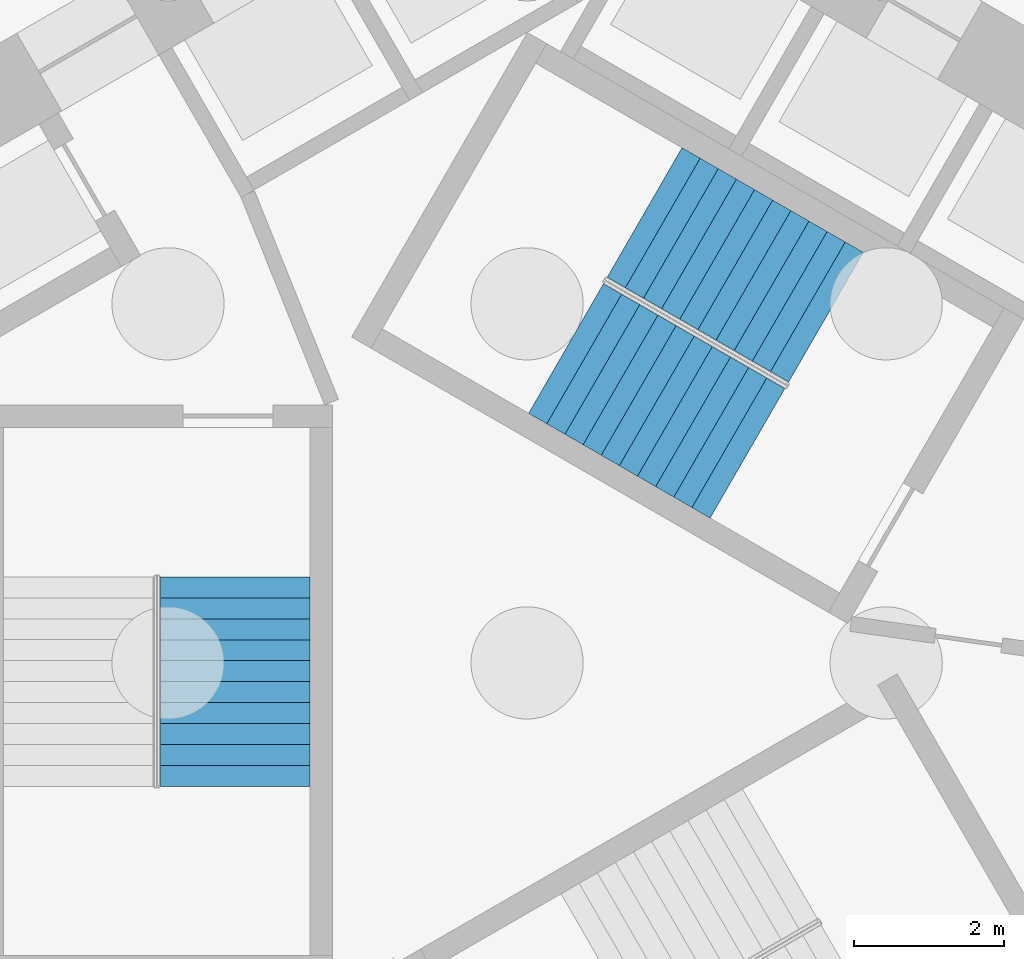
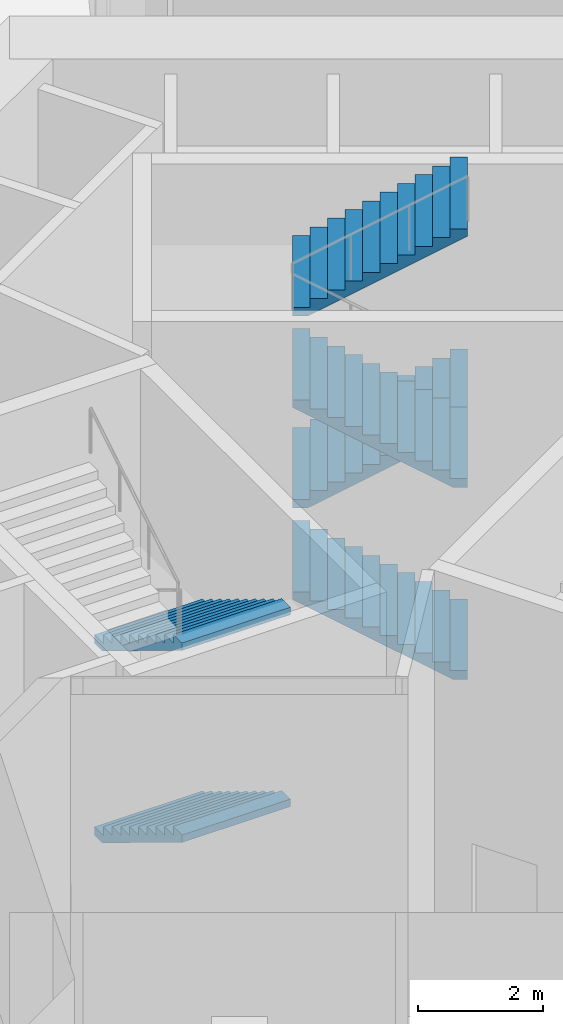
# One storey, part 13 of 16: 6 stair flights, 2 elements without a shape of their own.
"""IFC4 building model written with IfcOpenShell, lengths in metres."""

from ifc_helpers import new_model, si_unit, direction, frame, origin, place, context, subcontext, project, spatial, triangles, source, transform, mapped, material, type_object, element, aggregate, save


model = new_model("IFC4")

# Units and contexts
model_context = context("Model", 3, precision=1e-05, world=origin(), true_north=direction((0.0, 1.0)))
body_context = subcontext(model_context, "Body", "Model", "MODEL_VIEW")
ifc_project = project(units=[si_unit("LENGTHUNIT", "METRE"), si_unit("AREAUNIT", "SQUARE_METRE"), si_unit("VOLUMEUNIT", "CUBIC_METRE"), si_unit("PLANEANGLEUNIT", "RADIAN"), si_unit("MASSUNIT", "GRAM", prefix="KILO")], contexts=[model_context])

# Site, building, storey
site_placement = place(None, origin())
site = spatial("IfcSite", under=ifc_project, at=site_placement, CompositionType="ELEMENT")
building_placement = place(site_placement, origin())
building = spatial("IfcBuilding", under=site, at=building_placement, Name="Vanh Sen Convention Tower", CompositionType="ELEMENT")
storey_placement = place(building_placement, origin())
storey = spatial("IfcBuildingStorey", under=building, at=storey_placement, Name="L00", CompositionType="ELEMENT", Elevation=0.0)

# Stair, stair flights
ifc_material_1 = material(Name="Concrete C50/60", Category="concrete")
stair_type_1 = type_object("IfcStairType", Name="Exit stair ST1 44 risers at 170.5", PredefinedType="HALF_TURN_STAIR", material=ifc_material_1)
stair_1_placement = place(storey_placement, origin())
stair_1 = element("IfcStair", 1, at=stair_1_placement, inside=storey, type_object=stair_type_1, Name="Exit stair ST1 L00", PredefinedType="HALF_TURN_STAIR")
ifc_material_2 = material(Name="Concrete C40/50", Category="concrete")
stair_flight_type = type_object("IfcStairFlightType", Name="Stair flight 2000", PredefinedType="STRAIGHT", material=ifc_material_2)
shared_shape = source(origin(), body_context, "Body", "Tessellation", [
    triangles([(0.240478515625, 1.0, 0.0), (0.0, 1.0, 0.0), (0.0, 1.0, 0.17041015625), (0.280029296875, 1.0, 0.17041015625), (0.280029296875, 1.0, 0.3408203125), (0.56005859375, 1.0, 0.3408203125), (0.56005859375, 1.0, 0.511474609375), (0.840087890625, 1.0, 0.511474609375), (0.840087890625, 1.0, 0.681884765625), (1.1201171875, 1.0, 0.681884765625), (1.1201171875, 1.0, 0.852294921875), (1.39990234375, 1.0, 0.852294921875), (1.39990234375, 1.0, 1.022705078125), (1.679931640625, 1.0, 1.022705078125), (1.679931640625, 1.0, 1.193115234375), (1.9599609375, 1.0, 1.193115234375), (1.9599609375, 1.0, 1.363525390625), (2.239990234375, 1.0, 1.363525390625), (2.239990234375, 1.0, 1.5341796875), (2.52001953125, 1.0, 1.5341796875), (2.52001953125, 1.0, 1.70458984375), (2.800048828125, 1.0, 1.70458984375), (2.800048828125, 1.0, 1.55810546875), (0.240478515625, -1.0, 0.0), (0.0, -1.0, 0.0), (0.0, -1.0, 0.17041015625), (0.280029296875, -1.0, 0.17041015625), (0.280029296875, -1.0, 0.3408203125), (0.56005859375, -1.0, 0.3408203125), (0.56005859375, -1.0, 0.511474609375), (0.840087890625, -1.0, 0.511474609375), (0.840087890625, -1.0, 0.681884765625), (1.1201171875, -1.0, 0.681884765625), (1.1201171875, -1.0, 0.852294921875), (1.39990234375, -1.0, 0.852294921875), (1.39990234375, -1.0, 1.022705078125), (1.679931640625, -1.0, 1.022705078125), (1.679931640625, -1.0, 1.193115234375), (1.9599609375, -1.0, 1.193115234375), (1.9599609375, -1.0, 1.363525390625), (2.239990234375, -1.0, 1.363525390625), (2.239990234375, -1.0, 1.5341796875), (2.52001953125, -1.0, 1.5341796875), (2.52001953125, -1.0, 1.70458984375), (2.800048828125, -1.0, 1.70458984375), (2.800048828125, -1.0, 1.55810546875), (0.0, 0.0400390625, 0.0), (0.0, 0.0390625, 0.0), (0.0, 0.0380859375, 0.0), (0.0, 0.037109375, 0.0), (0.0, 0.035888671875, 0.0), (0.0, 0.034912109375, 0.0), (0.0, 0.033935546875, 0.0), (0.0, 0.032958984375, 0.0), (0.0, 0.031982421875, 0.0), (0.0, 0.031005859375, 0.0), (0.0, 0.030029296875, 0.0), (0.0, 0.029052734375, 0.0), (0.0, 0.028076171875, 0.0), (0.0, 0.027099609375, 0.0), (0.0, 0.02587890625, 0.0), (0.0, 0.02490234375, 0.0), (0.0, 0.02392578125, 0.0), (0.0, 0.02294921875, 0.0), (0.0, 0.02197265625, 0.0), (0.0, 0.02099609375, 0.0), (0.0, 0.02001953125, 0.0), (0.0, 0.01904296875, 0.0), (0.0, 0.01806640625, 0.0), (0.0, 0.01708984375, 0.0), (0.0, 0.01611328125, 0.0), (0.0, 0.014892578125, 0.0), (0.0, 0.013916015625, 0.0), (0.0, 0.012939453125, 0.0), (0.0, 0.011962890625, 0.0), (0.0, 0.010986328125, 0.0), (0.0, 0.010009765625, 0.0), (0.0, 0.009033203125, 0.0), (0.0, 0.008056640625, 0.0), (0.0, 0.007080078125, 0.0), (0.0, 0.006103515625, 0.0), (0.0, 0.0048828125, 0.0), (0.0, 0.00390625, 0.0), (0.0, 0.0029296875, 0.0), (0.0, 0.001953125, 0.0), (0.0, 0.0009765625, 0.0), (0.0, 0.0, 0.0), (0.0, -0.0009765625, 0.0), (0.0, -0.001953125, 0.0), (0.0, -0.0029296875, 0.0), (0.0, -0.00390625, 0.0), (0.0, -0.0048828125, 0.0), (0.0, -0.006103515625, 0.0), (0.0, -0.007080078125, 0.0), (0.0, -0.008056640625, 0.0), (0.0, -0.009033203125, 0.0), (0.0, -0.010009765625, 0.0), (0.0, -0.010986328125, 0.0), (0.0, -0.011962890625, 0.0), (0.0, -0.012939453125, 0.0), (0.0, -0.013916015625, 0.0), (0.0, -0.014892578125, 0.0), (0.0, -0.01611328125, 0.0), (0.0, -0.01708984375, 0.0), (0.0, -0.01806640625, 0.0), (0.0, -0.01904296875, 0.0), (0.0, -0.02001953125, 0.0), (0.0, -0.02099609375, 0.0), (0.0, -0.02197265625, 0.0), (0.0, -0.02294921875, 0.0), (0.0, -0.02392578125, 0.0), (0.0, -0.02490234375, 0.0), (0.0, -0.02587890625, 0.0), (0.0, -0.027099609375, 0.0), (0.0, -0.028076171875, 0.0), (0.0, -0.029052734375, 0.0), (0.0, -0.030029296875, 0.0), (0.0, -0.031005859375, 0.0), (0.0, -0.031982421875, 0.0), (0.0, -0.032958984375, 0.0), (0.0, -0.033935546875, 0.0), (0.0, -0.034912109375, 0.0), (0.0, -0.035888671875, 0.0), (0.0, -0.037109375, 0.0), (0.0, -0.0380859375, 0.0), (0.0, -0.0390625, 0.0), (0.0, -0.0400390625, 0.0), (0.0, 0.0400390625, 0.17041015625), (0.0, 0.0390625, 0.17041015625), (0.0, 0.0380859375, 0.17041015625), (0.0, 0.037109375, 0.17041015625), (0.0, 0.035888671875, 0.17041015625), (0.0, 0.034912109375, 0.17041015625), (0.0, 0.033935546875, 0.17041015625), (0.0, 0.032958984375, 0.17041015625), (0.0, 0.031982421875, 0.17041015625), (0.0, 0.031005859375, 0.17041015625), (0.0, 0.030029296875, 0.17041015625), (0.0, 0.029052734375, 0.17041015625), (0.0, 0.028076171875, 0.17041015625), (0.0, 0.027099609375, 0.17041015625), (0.0, 0.02587890625, 0.17041015625), (0.0, 0.02490234375, 0.17041015625), (0.0, 0.02392578125, 0.17041015625), (0.0, 0.02294921875, 0.17041015625), (0.0, 0.02197265625, 0.17041015625), (0.0, 0.02099609375, 0.17041015625), (0.0, 0.02001953125, 0.17041015625), (0.0, 0.01904296875, 0.17041015625), (0.0, 0.01806640625, 0.17041015625), (0.0, 0.01708984375, 0.17041015625), (0.0, 0.01611328125, 0.17041015625), (0.0, 0.014892578125, 0.17041015625), (0.0, 0.013916015625, 0.17041015625), (0.0, 0.012939453125, 0.17041015625), (0.0, 0.011962890625, 0.17041015625), (0.0, 0.010986328125, 0.17041015625), (0.0, 0.010009765625, 0.17041015625), (0.0, 0.009033203125, 0.17041015625), (0.0, 0.008056640625, 0.17041015625), (0.0, 0.007080078125, 0.17041015625), (0.0, 0.006103515625, 0.17041015625), (0.0, 0.0048828125, 0.17041015625), (0.0, 0.00390625, 0.17041015625), (0.0, 0.0029296875, 0.17041015625), (0.0, 0.001953125, 0.17041015625), (0.0, 0.0009765625, 0.17041015625), (0.0, 0.0, 0.17041015625), (0.0, -0.0009765625, 0.17041015625), (0.0, -0.001953125, 0.17041015625), (0.0, -0.0029296875, 0.17041015625), (0.0, -0.00390625, 0.17041015625), (0.0, -0.0048828125, 0.17041015625), (0.0, -0.006103515625, 0.17041015625), (0.0, -0.007080078125, 0.17041015625), (0.0, -0.008056640625, 0.17041015625), (0.0, -0.009033203125, 0.17041015625), (0.0, -0.010009765625, 0.17041015625), (0.0, -0.010986328125, 0.17041015625), (0.0, -0.011962890625, 0.17041015625), (0.0, -0.012939453125, 0.17041015625), (0.0, -0.013916015625, 0.17041015625), (0.0, -0.014892578125, 0.17041015625), (0.0, -0.01611328125, 0.17041015625), (0.0, -0.01708984375, 0.17041015625), (0.0, -0.01806640625, 0.17041015625), (0.0, -0.01904296875, 0.17041015625), (0.0, -0.02001953125, 0.17041015625), (0.0, -0.02099609375, 0.17041015625), (0.0, -0.02197265625, 0.17041015625), (0.0, -0.02294921875, 0.17041015625), (0.0, -0.02392578125, 0.17041015625), (0.0, -0.02490234375, 0.17041015625), (0.0, -0.02587890625, 0.17041015625), (0.0, -0.027099609375, 0.17041015625), (0.0, -0.028076171875, 0.17041015625), (0.0, -0.029052734375, 0.17041015625), (0.0, -0.030029296875, 0.17041015625), (0.0, -0.031005859375, 0.17041015625), (0.0, -0.031982421875, 0.17041015625), (0.0, -0.032958984375, 0.17041015625), (0.0, -0.033935546875, 0.17041015625), (0.0, -0.034912109375, 0.17041015625), (0.0, -0.035888671875, 0.17041015625), (0.0, -0.037109375, 0.17041015625), (0.0, -0.0380859375, 0.17041015625), (0.0, -0.0390625, 0.17041015625), (0.0, -0.0400390625, 0.17041015625), (0.280029296875, 0.0, 0.17041015625), (0.280029296875, 0.0, 0.3408203125), (0.56005859375, 0.0, 0.3408203125), (0.56005859375, 0.0, 0.511474609375), (0.840087890625, 0.0, 0.511474609375), (0.840087890625, 0.0, 0.681884765625), (1.1201171875, 0.0, 0.681884765625), (1.1201171875, 0.0, 0.852294921875), (1.39990234375, 0.0, 0.852294921875), (1.39990234375, 0.0, 1.022705078125), (1.679931640625, 0.0, 1.022705078125), (1.679931640625, 0.0, 1.193115234375), (1.9599609375, 0.0, 1.193115234375), (1.9599609375, 0.0, 1.363525390625), (2.239990234375, 0.0, 1.363525390625), (2.239990234375, 0.0, 1.5341796875), (2.52001953125, 0.0, 1.5341796875), (2.52001953125, 0.0, 1.70458984375), (2.800048828125, 0.0400390625, 1.70458984375), (2.800048828125, 0.0390625, 1.70458984375), (2.800048828125, 0.0380859375, 1.70458984375), (2.800048828125, 0.037109375, 1.70458984375), (2.800048828125, 0.035888671875, 1.70458984375), (2.800048828125, 0.034912109375, 1.70458984375), (2.800048828125, 0.033935546875, 1.70458984375), (2.800048828125, 0.032958984375, 1.70458984375), (2.800048828125, 0.031982421875, 1.70458984375), (2.800048828125, 0.031005859375, 1.70458984375), (2.800048828125, 0.030029296875, 1.70458984375), (2.800048828125, 0.029052734375, 1.70458984375), (2.800048828125, 0.028076171875, 1.70458984375), (2.800048828125, 0.027099609375, 1.70458984375), (2.800048828125, 0.02587890625, 1.70458984375), (2.800048828125, 0.02490234375, 1.70458984375), (2.800048828125, 0.02392578125, 1.70458984375), (2.800048828125, 0.02294921875, 1.70458984375), (2.800048828125, 0.02197265625, 1.70458984375), (2.800048828125, 0.02099609375, 1.70458984375), (2.800048828125, 0.02001953125, 1.70458984375), (2.800048828125, 0.01904296875, 1.70458984375), (2.800048828125, 0.01806640625, 1.70458984375), (2.800048828125, 0.01708984375, 1.70458984375), (2.800048828125, 0.01611328125, 1.70458984375), (2.800048828125, 0.014892578125, 1.70458984375), (2.800048828125, 0.013916015625, 1.70458984375), (2.800048828125, 0.012939453125, 1.70458984375), (2.800048828125, 0.011962890625, 1.70458984375), (2.800048828125, 0.010986328125, 1.70458984375), (2.800048828125, 0.010009765625, 1.70458984375), (2.800048828125, 0.009033203125, 1.70458984375), (2.800048828125, 0.008056640625, 1.70458984375), (2.800048828125, 0.007080078125, 1.70458984375), (2.800048828125, 0.006103515625, 1.70458984375), (2.800048828125, 0.0048828125, 1.70458984375), (2.800048828125, 0.00390625, 1.70458984375), (2.800048828125, 0.0029296875, 1.70458984375), (2.800048828125, 0.001953125, 1.70458984375), (2.800048828125, 0.0009765625, 1.70458984375), (2.800048828125, 0.0, 1.70458984375), (2.800048828125, -0.0009765625, 1.70458984375), (2.800048828125, -0.001953125, 1.70458984375), (2.800048828125, -0.0029296875, 1.70458984375), (2.800048828125, -0.00390625, 1.70458984375), (2.800048828125, -0.0048828125, 1.70458984375), (2.800048828125, -0.006103515625, 1.70458984375), (2.800048828125, -0.007080078125, 1.70458984375), (2.800048828125, -0.008056640625, 1.70458984375), (2.800048828125, -0.009033203125, 1.70458984375), (2.800048828125, -0.010009765625, 1.70458984375), (2.800048828125, -0.010986328125, 1.70458984375), (2.800048828125, -0.011962890625, 1.70458984375), (2.800048828125, -0.012939453125, 1.70458984375), (2.800048828125, -0.013916015625, 1.70458984375), (2.800048828125, -0.014892578125, 1.70458984375), (2.800048828125, -0.01611328125, 1.70458984375), (2.800048828125, -0.01708984375, 1.70458984375), (2.800048828125, -0.01806640625, 1.70458984375), (2.800048828125, -0.01904296875, 1.70458984375), (2.800048828125, -0.02001953125, 1.70458984375), (2.800048828125, -0.02099609375, 1.70458984375), (2.800048828125, -0.02197265625, 1.70458984375), (2.800048828125, -0.02294921875, 1.70458984375), (2.800048828125, -0.02392578125, 1.70458984375), (2.800048828125, -0.02490234375, 1.70458984375), (2.800048828125, -0.02587890625, 1.70458984375), (2.800048828125, -0.027099609375, 1.70458984375), (2.800048828125, -0.028076171875, 1.70458984375), (2.800048828125, -0.029052734375, 1.70458984375), (2.800048828125, -0.030029296875, 1.70458984375), (2.800048828125, -0.031005859375, 1.70458984375), (2.800048828125, -0.031982421875, 1.70458984375), (2.800048828125, -0.032958984375, 1.70458984375), (2.800048828125, -0.033935546875, 1.70458984375), (2.800048828125, -0.034912109375, 1.70458984375), (2.800048828125, -0.035888671875, 1.70458984375), (2.800048828125, -0.037109375, 1.70458984375), (2.800048828125, -0.0380859375, 1.70458984375), (2.800048828125, -0.0390625, 1.70458984375), (2.800048828125, -0.0400390625, 1.70458984375), (2.800048828125, 0.0400390625, 1.55810546875), (2.800048828125, 0.0390625, 1.55810546875), (2.800048828125, 0.0380859375, 1.55810546875), (2.800048828125, 0.037109375, 1.55810546875), (2.800048828125, 0.035888671875, 1.55810546875), (2.800048828125, 0.034912109375, 1.55810546875), (2.800048828125, 0.033935546875, 1.55810546875), (2.800048828125, 0.032958984375, 1.55810546875), (2.800048828125, 0.031982421875, 1.55810546875), (2.800048828125, 0.031005859375, 1.55810546875), (2.800048828125, 0.030029296875, 1.55810546875), (2.800048828125, 0.029052734375, 1.55810546875), (2.800048828125, 0.028076171875, 1.55810546875), (2.800048828125, 0.027099609375, 1.55810546875), (2.800048828125, 0.02587890625, 1.55810546875), (2.800048828125, 0.02490234375, 1.55810546875), (2.800048828125, 0.02392578125, 1.55810546875), (2.800048828125, 0.02294921875, 1.55810546875), (2.800048828125, 0.02197265625, 1.55810546875), (2.800048828125, 0.02099609375, 1.55810546875), (2.800048828125, 0.02001953125, 1.55810546875), (2.800048828125, 0.01904296875, 1.55810546875), (2.800048828125, 0.01806640625, 1.55810546875), (2.800048828125, 0.01708984375, 1.55810546875), (2.800048828125, 0.01611328125, 1.55810546875), (2.800048828125, 0.014892578125, 1.55810546875), (2.800048828125, 0.013916015625, 1.55810546875), (2.800048828125, 0.012939453125, 1.55810546875), (2.800048828125, 0.011962890625, 1.55810546875), (2.800048828125, 0.010986328125, 1.55810546875), (2.800048828125, 0.010009765625, 1.55810546875), (2.800048828125, 0.009033203125, 1.55810546875), (2.800048828125, 0.008056640625, 1.55810546875), (2.800048828125, 0.007080078125, 1.55810546875), (2.800048828125, 0.006103515625, 1.55810546875), (2.800048828125, 0.0048828125, 1.55810546875), (2.800048828125, 0.00390625, 1.55810546875), (2.800048828125, 0.0029296875, 1.55810546875), (2.800048828125, 0.001953125, 1.55810546875), (2.800048828125, 0.0009765625, 1.55810546875), (2.800048828125, 0.0, 1.55810546875), (2.800048828125, -0.0009765625, 1.55810546875), (2.800048828125, -0.001953125, 1.55810546875), (2.800048828125, -0.0029296875, 1.55810546875), (2.800048828125, -0.00390625, 1.55810546875), (2.800048828125, -0.0048828125, 1.55810546875), (2.800048828125, -0.006103515625, 1.55810546875), (2.800048828125, -0.007080078125, 1.55810546875), (2.800048828125, -0.008056640625, 1.55810546875), (2.800048828125, -0.009033203125, 1.55810546875), (2.800048828125, -0.010009765625, 1.55810546875), (2.800048828125, -0.010986328125, 1.55810546875), (2.800048828125, -0.011962890625, 1.55810546875), (2.800048828125, -0.012939453125, 1.55810546875), (2.800048828125, -0.013916015625, 1.55810546875), (2.800048828125, -0.014892578125, 1.55810546875), (2.800048828125, -0.01611328125, 1.55810546875), (2.800048828125, -0.01708984375, 1.55810546875), (2.800048828125, -0.01806640625, 1.55810546875), (2.800048828125, -0.01904296875, 1.55810546875), (2.800048828125, -0.02001953125, 1.55810546875), (2.800048828125, -0.02099609375, 1.55810546875), (2.800048828125, -0.02197265625, 1.55810546875), (2.800048828125, -0.02294921875, 1.55810546875), (2.800048828125, -0.02392578125, 1.55810546875), (2.800048828125, -0.02490234375, 1.55810546875), (2.800048828125, -0.02587890625, 1.55810546875), (2.800048828125, -0.027099609375, 1.55810546875), (2.800048828125, -0.028076171875, 1.55810546875), (2.800048828125, -0.029052734375, 1.55810546875), (2.800048828125, -0.030029296875, 1.55810546875), (2.800048828125, -0.031005859375, 1.55810546875), (2.800048828125, -0.031982421875, 1.55810546875), (2.800048828125, -0.032958984375, 1.55810546875), (2.800048828125, -0.033935546875, 1.55810546875), (2.800048828125, -0.034912109375, 1.55810546875), (2.800048828125, -0.035888671875, 1.55810546875), (2.800048828125, -0.037109375, 1.55810546875), (2.800048828125, -0.0380859375, 1.55810546875), (2.800048828125, -0.0390625, 1.55810546875), (2.800048828125, -0.0400390625, 1.55810546875), (0.240478515625, 0.0, 0.0)], [[1, 2, 3], [1, 3, 4], [4, 5, 6], [1, 4, 6], [6, 7, 8], [1, 6, 8], [8, 9, 10], [1, 8, 10], [10, 11, 12], [1, 10, 12], [12, 13, 14], [1, 12, 14], [14, 15, 16], [1, 14, 16], [16, 17, 18], [1, 16, 18], [18, 19, 20], [1, 18, 20], [20, 21, 22], [1, 20, 22], [22, 23, 1], [24, 26, 25], [24, 27, 26], [27, 29, 28], [24, 29, 27], [29, 31, 30], [24, 31, 29], [31, 33, 32], [24, 33, 31], [33, 35, 34], [24, 35, 33], [35, 37, 36], [24, 37, 35], [37, 39, 38], [24, 39, 37], [39, 41, 40], [24, 41, 39], [41, 43, 42], [24, 43, 41], [43, 45, 44], [24, 45, 43], [45, 24, 46], [2, 128, 3], [2, 47, 128], [47, 129, 128], [47, 48, 129], [48, 130, 129], [48, 49, 130], [49, 131, 130], [49, 50, 131], [50, 132, 131], [50, 51, 132], [51, 133, 132], [51, 52, 133], [52, 134, 133], [52, 53, 134], [53, 135, 134], [53, 54, 135], [54, 136, 135], [54, 55, 136], [55, 137, 136], [55, 56, 137], [56, 138, 137], [56, 57, 138], [57, 139, 138], [57, 58, 139], [58, 140, 139], [58, 59, 140], [59, 141, 140], [59, 60, 141], [60, 142, 141], [60, 61, 142], [61, 143, 142], [61, 62, 143], [62, 144, 143], [62, 63, 144], [63, 145, 144], [63, 64, 145], [64, 146, 145], [64, 65, 146], [65, 147, 146], [65, 66, 147], [66, 148, 147], [66, 67, 148], [67, 149, 148], [67, 68, 149], [68, 150, 149], [68, 69, 150], [69, 151, 150], [69, 70, 151], [70, 152, 151], [70, 71, 152], [71, 153, 152], [71, 72, 153], [72, 154, 153], [72, 73, 154], [73, 155, 154], [73, 74, 155], [74, 156, 155], [74, 75, 156], [75, 157, 156], [75, 76, 157], [76, 158, 157], [76, 77, 158], [77, 159, 158], [77, 78, 159], [78, 160, 159], [78, 79, 160], [79, 161, 160], [79, 80, 161], [80, 162, 161], [80, 81, 162], [81, 163, 162], [81, 82, 163], [82, 164, 163], [82, 83, 164], [83, 165, 164], [83, 84, 165], [84, 166, 165], [84, 85, 166], [85, 167, 166], [85, 86, 167], [86, 168, 167], [86, 87, 168], [87, 88, 168], [168, 88, 169], [88, 89, 169], [169, 89, 170], [89, 90, 170], [170, 90, 171], [90, 91, 171], [171, 91, 172], [91, 92, 172], [172, 92, 173], [92, 93, 173], [173, 93, 174], [93, 94, 174], [174, 94, 175], [94, 95, 175], [175, 95, 176], [95, 96, 176], [176, 96, 177], [96, 97, 177], [177, 97, 178], [97, 98, 178], [178, 98, 179], [98, 99, 179], [179, 99, 180], [99, 100, 180], [180, 100, 181], [100, 101, 181], [181, 101, 182], [101, 102, 182], [182, 102, 183], [102, 103, 183], [183, 103, 184], [103, 104, 184], [184, 104, 185], [104, 105, 185], [185, 105, 186], [105, 106, 186], [186, 106, 187], [106, 107, 187], [187, 107, 188], [107, 108, 188], [188, 108, 189], [108, 109, 189], [189, 109, 190], [109, 110, 190], [190, 110, 191], [110, 111, 191], [191, 111, 192], [111, 112, 192], [192, 112, 193], [112, 113, 193], [193, 113, 194], [113, 114, 194], [194, 114, 195], [114, 115, 195], [195, 115, 196], [115, 116, 196], [196, 116, 197], [116, 117, 197], [197, 117, 198], [117, 118, 198], [198, 118, 199], [118, 119, 199], [199, 119, 200], [119, 120, 200], [200, 120, 201], [120, 121, 201], [201, 121, 202], [121, 122, 202], [202, 122, 203], [122, 123, 203], [203, 123, 204], [123, 124, 204], [204, 124, 205], [124, 125, 205], [205, 125, 206], [125, 126, 206], [206, 126, 207], [126, 127, 207], [207, 127, 208], [127, 25, 208], [208, 25, 26], [4, 3, 128], [4, 128, 129], [4, 129, 130], [4, 130, 131], [4, 131, 132], [4, 132, 133], [4, 133, 134], [4, 134, 135], [4, 135, 136], [4, 136, 137], [4, 137, 138], [4, 138, 139], [4, 139, 140], [4, 140, 141], [4, 141, 142], [4, 142, 143], [4, 143, 144], [4, 144, 145], [4, 145, 146], [4, 146, 147], [4, 147, 148], [4, 148, 149], [4, 149, 150], [4, 150, 151], [4, 151, 152], [4, 152, 153], [4, 153, 154], [4, 154, 155], [4, 155, 156], [4, 156, 157], [4, 157, 158], [4, 158, 159], [4, 159, 160], [4, 160, 161], [4, 161, 162], [4, 162, 163], [4, 163, 164], [4, 164, 165], [4, 165, 166], [4, 166, 167], [4, 167, 168], [27, 168, 169], [27, 169, 170], [27, 170, 171], [27, 171, 172], [27, 172, 173], [27, 173, 174], [27, 174, 175], [27, 175, 176], [27, 176, 177], [27, 177, 178], [27, 178, 179], [27, 179, 180], [27, 180, 181], [27, 181, 182], [27, 182, 183], [27, 183, 184], [27, 184, 185], [27, 185, 186], [27, 186, 187], [27, 187, 188], [27, 188, 189], [27, 189, 190], [27, 190, 191], [27, 191, 192], [27, 192, 193], [27, 193, 194], [27, 194, 195], [27, 195, 196], [27, 196, 197], [27, 197, 198], [27, 198, 199], [27, 199, 200], [27, 200, 201], [27, 201, 202], [27, 202, 203], [27, 203, 204], [27, 204, 205], [27, 205, 206], [27, 206, 207], [27, 207, 208], [27, 208, 26], [4, 168, 209], [27, 209, 168], [4, 210, 5], [4, 209, 210], [209, 27, 210], [210, 27, 28], [5, 211, 6], [5, 210, 211], [210, 28, 211], [211, 28, 29], [6, 212, 7], [6, 211, 212], [211, 29, 212], [212, 29, 30], [7, 213, 8], [7, 212, 213], [212, 30, 213], [213, 30, 31], [8, 214, 9], [8, 213, 214], [213, 31, 214], [214, 31, 32], [9, 215, 10], [9, 214, 215], [214, 32, 215], [215, 32, 33], [10, 216, 11], [10, 215, 216], [215, 33, 216], [216, 33, 34], [11, 217, 12], [11, 216, 217], [216, 34, 217], [217, 34, 35], [12, 218, 13], [12, 217, 218], [217, 35, 218], [218, 35, 36], [13, 219, 14], [13, 218, 219], [218, 36, 219], [219, 36, 37], [14, 220, 15], [14, 219, 220], [219, 37, 220], [220, 37, 38], [15, 221, 16], [15, 220, 221], [220, 38, 221], [221, 38, 39], [16, 222, 17], [16, 221, 222], [221, 39, 222], [222, 39, 40], [17, 223, 18], [17, 222, 223], [222, 40, 223], [223, 40, 41], [18, 224, 19], [18, 223, 224], [223, 41, 224], [224, 41, 42], [19, 225, 20], [19, 224, 225], [224, 42, 225], [225, 42, 43], [20, 226, 21], [20, 225, 226], [225, 43, 226], [226, 43, 44], [21, 227, 22], [21, 228, 227], [21, 229, 228], [21, 230, 229], [21, 231, 230], [21, 232, 231], [21, 233, 232], [21, 234, 233], [21, 235, 234], [21, 236, 235], [21, 237, 236], [21, 238, 237], [21, 239, 238], [21, 240, 239], [21, 241, 240], [21, 242, 241], [21, 243, 242], [21, 244, 243], [21, 245, 244], [21, 246, 245], [21, 247, 246], [21, 248, 247], [21, 249, 248], [21, 250, 249], [21, 251, 250], [21, 252, 251], [21, 253, 252], [21, 254, 253], [21, 255, 254], [21, 256, 255], [21, 257, 256], [21, 258, 257], [21, 259, 258], [21, 260, 259], [21, 261, 260], [21, 262, 261], [21, 263, 262], [21, 264, 263], [21, 265, 264], [21, 266, 265], [21, 267, 266], [44, 268, 267], [44, 269, 268], [44, 270, 269], [44, 271, 270], [44, 272, 271], [44, 273, 272], [44, 274, 273], [44, 275, 274], [44, 276, 275], [44, 277, 276], [44, 278, 277], [44, 279, 278], [44, 280, 279], [44, 281, 280], [44, 282, 281], [44, 283, 282], [44, 284, 283], [44, 285, 284], [44, 286, 285], [44, 287, 286], [44, 288, 287], [44, 289, 288], [44, 290, 289], [44, 291, 290], [44, 292, 291], [44, 293, 292], [44, 294, 293], [44, 295, 294], [44, 296, 295], [44, 297, 296], [44, 298, 297], [44, 299, 298], [44, 300, 299], [44, 301, 300], [44, 302, 301], [44, 303, 302], [44, 304, 303], [44, 305, 304], [44, 306, 305], [44, 307, 306], [44, 45, 307], [21, 226, 267], [44, 267, 226], [22, 308, 23], [22, 227, 308], [227, 309, 308], [227, 228, 309], [228, 310, 309], [228, 229, 310], [229, 311, 310], [229, 230, 311], [230, 312, 311], [230, 231, 312], [231, 313, 312], [231, 232, 313], [232, 314, 313], [232, 233, 314], [233, 315, 314], [233, 234, 315], [234, 316, 315], [234, 235, 316], [235, 317, 316], [235, 236, 317], [236, 318, 317], [236, 237, 318], [237, 319, 318], [237, 238, 319], [238, 320, 319], [238, 239, 320], [239, 321, 320], [239, 240, 321], [240, 322, 321], [240, 241, 322], [241, 323, 322], [241, 242, 323], [242, 324, 323], [242, 243, 324], [243, 325, 324], [243, 244, 325], [244, 326, 325], [244, 245, 326], [245, 327, 326], [245, 246, 327], [246, 328, 327], [246, 247, 328], [247, 329, 328], [247, 248, 329], [248, 330, 329], [248, 249, 330], [249, 331, 330], [249, 250, 331], [250, 332, 331], [250, 251, 332], [251, 333, 332], [251, 252, 333], [252, 334, 333], [252, 253, 334], [253, 335, 334], [253, 254, 335], [254, 336, 335], [254, 255, 336], [255, 337, 336], [255, 256, 337], [256, 338, 337], [256, 257, 338], [257, 339, 338], [257, 258, 339], [258, 340, 339], [258, 259, 340], [259, 341, 340], [259, 260, 341], [260, 342, 341], [260, 261, 342], [261, 343, 342], [261, 262, 343], [262, 344, 343], [262, 263, 344], [263, 345, 344], [263, 264, 345], [264, 346, 345], [264, 265, 346], [265, 347, 346], [265, 266, 347], [266, 348, 347], [266, 267, 348], [267, 268, 348], [348, 268, 349], [268, 269, 349], [349, 269, 350], [269, 270, 350], [350, 270, 351], [270, 271, 351], [351, 271, 352], [271, 272, 352], [352, 272, 353], [272, 273, 353], [353, 273, 354], [273, 274, 354], [354, 274, 355], [274, 275, 355], [355, 275, 356], [275, 276, 356], [356, 276, 357], [276, 277, 357], [357, 277, 358], [277, 278, 358], [358, 278, 359], [278, 279, 359], [359, 279, 360], [279, 280, 360], [360, 280, 361], [280, 281, 361], [361, 281, 362], [281, 282, 362], [362, 282, 363], [282, 283, 363], [363, 283, 364], [283, 284, 364], [364, 284, 365], [284, 285, 365], [365, 285, 366], [285, 286, 366], [366, 286, 367], [286, 287, 367], [367, 287, 368], [287, 288, 368], [368, 288, 369], [288, 289, 369], [369, 289, 370], [289, 290, 370], [370, 290, 371], [290, 291, 371], [371, 291, 372], [291, 292, 372], [372, 292, 373], [292, 293, 373], [373, 293, 374], [293, 294, 374], [374, 294, 375], [294, 295, 375], [375, 295, 376], [295, 296, 376], [376, 296, 377], [296, 297, 377], [377, 297, 378], [297, 298, 378], [378, 298, 379], [298, 299, 379], [379, 299, 380], [299, 300, 380], [380, 300, 381], [300, 301, 381], [381, 301, 382], [301, 302, 382], [382, 302, 383], [302, 303, 383], [383, 303, 384], [303, 304, 384], [384, 304, 385], [304, 305, 385], [385, 305, 386], [305, 306, 386], [386, 306, 387], [306, 307, 387], [387, 307, 388], [307, 45, 388], [388, 45, 46], [1, 23, 308], [1, 308, 309], [1, 309, 310], [1, 310, 311], [1, 311, 312], [1, 312, 313], [1, 313, 314], [1, 314, 315], [1, 315, 316], [1, 316, 317], [1, 317, 318], [1, 318, 319], [1, 319, 320], [1, 320, 321], [1, 321, 322], [1, 322, 323], [1, 323, 324], [1, 324, 325], [1, 325, 326], [1, 326, 327], [1, 327, 328], [1, 328, 329], [1, 329, 330], [1, 330, 331], [1, 331, 332], [1, 332, 333], [1, 333, 334], [1, 334, 335], [1, 335, 336], [1, 336, 337], [1, 337, 338], [1, 338, 339], [1, 339, 340], [1, 340, 341], [1, 341, 342], [1, 342, 343], [1, 343, 344], [1, 344, 345], [1, 345, 346], [1, 346, 347], [1, 347, 348], [24, 348, 349], [24, 349, 350], [24, 350, 351], [24, 351, 352], [24, 352, 353], [24, 353, 354], [24, 354, 355], [24, 355, 356], [24, 356, 357], [24, 357, 358], [24, 358, 359], [24, 359, 360], [24, 360, 361], [24, 361, 362], [24, 362, 363], [24, 363, 364], [24, 364, 365], [24, 365, 366], [24, 366, 367], [24, 367, 368], [24, 368, 369], [24, 369, 370], [24, 370, 371], [24, 371, 372], [24, 372, 373], [24, 373, 374], [24, 374, 375], [24, 375, 376], [24, 376, 377], [24, 377, 378], [24, 378, 379], [24, 379, 380], [24, 380, 381], [24, 381, 382], [24, 382, 383], [24, 383, 384], [24, 384, 385], [24, 385, 386], [24, 386, 387], [24, 387, 388], [24, 388, 46], [1, 348, 389], [24, 389, 348], [1, 47, 2], [1, 48, 47], [1, 49, 48], [1, 50, 49], [1, 51, 50], [1, 52, 51], [1, 53, 52], [1, 54, 53], [1, 55, 54], [1, 56, 55], [1, 57, 56], [1, 58, 57], [1, 59, 58], [1, 60, 59], [1, 61, 60], [1, 62, 61], [1, 63, 62], [1, 64, 63], [1, 65, 64], [1, 66, 65], [1, 67, 66], [1, 68, 67], [1, 69, 68], [1, 70, 69], [1, 71, 70], [1, 72, 71], [1, 73, 72], [1, 74, 73], [1, 75, 74], [1, 76, 75], [1, 77, 76], [1, 78, 77], [1, 79, 78], [1, 80, 79], [1, 81, 80], [1, 82, 81], [1, 83, 82], [1, 84, 83], [1, 85, 84], [1, 86, 85], [1, 87, 86], [24, 88, 87], [24, 89, 88], [24, 90, 89], [24, 91, 90], [24, 92, 91], [24, 93, 92], [24, 94, 93], [24, 95, 94], [24, 96, 95], [24, 97, 96], [24, 98, 97], [24, 99, 98], [24, 100, 99], [24, 101, 100], [24, 102, 101], [24, 103, 102], [24, 104, 103], [24, 105, 104], [24, 106, 105], [24, 107, 106], [24, 108, 107], [24, 109, 108], [24, 110, 109], [24, 111, 110], [24, 112, 111], [24, 113, 112], [24, 114, 113], [24, 115, 114], [24, 116, 115], [24, 117, 116], [24, 118, 117], [24, 119, 118], [24, 120, 119], [24, 121, 120], [24, 122, 121], [24, 123, 122], [24, 124, 123], [24, 125, 124], [24, 126, 125], [24, 127, 126], [24, 25, 127], [1, 389, 87], [24, 87, 389]], closed=True),
])
stair_flight_1_placement = place(storey_placement, frame((2.94580078125, 2.802490234375, 0.0), z_axis=(0.0, 0.0, 1.0), x_axis=(-0.866025403784, 0.5, 0.0)))
stair_flight_1 = element("IfcStairFlight", 2, at=stair_flight_1_placement, type_object=stair_flight_type, Name="ST1 flight 1", NumberOfRisers=11, NumberOfTreads=10, PredefinedType="STRAIGHT", RiserHeight=0.170454545, TreadLength=0.28, context=body_context, shape_type="MappedRepresentation", body=[
    mapped(shared_shape, transform((0.0, 0.0, 0.0))),
])
stair_flight_2_placement = place(storey_placement, frame((1.571044921875, 6.021240234375, 1.875), z_axis=(0.0, 0.0, 1.0), x_axis=(0.866025403784, -0.5, 0.0)))
stair_flight_2 = element("IfcStairFlight", 3, at=stair_flight_2_placement, type_object=stair_flight_type, Name="ST1 flight 2", NumberOfRisers=11, NumberOfTreads=10, PredefinedType="STRAIGHT", RiserHeight=0.170454545, TreadLength=0.28, context=body_context, shape_type="MappedRepresentation", body=[
    mapped(shared_shape, transform((0.0, 0.0, 0.0))),
])
stair_flight_3_placement = place(storey_placement, frame((2.94580078125, 2.802490234375, 3.75), z_axis=(0.0, 0.0, 1.0), x_axis=(-0.866025403784, 0.5, 0.0)))
stair_flight_3 = element("IfcStairFlight", 4, at=stair_flight_3_placement, type_object=stair_flight_type, Name="ST1 flight 3", NumberOfRisers=11, NumberOfTreads=10, PredefinedType="STRAIGHT", RiserHeight=0.170454545, TreadLength=0.28, context=body_context, shape_type="MappedRepresentation", body=[
    mapped(shared_shape, transform((0.0, 0.0, 0.0))),
])
stair_flight_4_placement = place(storey_placement, frame((1.571044921875, 6.021240234375, 5.625), z_axis=(0.0, 0.0, 1.0), x_axis=(0.866025403784, -0.5, 0.0)))
stair_flight_4 = element("IfcStairFlight", 5, at=stair_flight_4_placement, type_object=stair_flight_type, Name="ST1 flight 4", NumberOfRisers=11, NumberOfTreads=10, PredefinedType="STRAIGHT", RiserHeight=0.170454545, TreadLength=0.28, context=body_context, shape_type="MappedRepresentation", body=[
    mapped(shared_shape, transform((0.0, 0.0, 0.0))),
])
aggregate(stair_1, [stair_flight_1, stair_flight_2, stair_flight_3, stair_flight_4])

stair_type_2 = type_object("IfcStairType", Name="Exit stair ST2 44 risers at 170.5", PredefinedType="HALF_TURN_STAIR", material=ifc_material_1)
stair_2_placement = place(storey_placement, origin())
stair_2 = element("IfcStair", 6, at=stair_2_placement, inside=storey, type_object=stair_type_2, Name="Exit stair ST2 L00", PredefinedType="HALF_TURN_STAIR")
stair_flight_5_placement = place(storey_placement, frame((-3.89990234375, 1.14990234375, 0.0), z_axis=(0.0, 0.0, 1.0), x_axis=(0.0, -1.0, 0.0)))
stair_flight_5 = element("IfcStairFlight", 7, at=stair_flight_5_placement, type_object=stair_flight_type, Name="ST2 flight 1", NumberOfRisers=11, NumberOfTreads=10, PredefinedType="STRAIGHT", RiserHeight=0.170454545, TreadLength=0.28, context=body_context, shape_type="MappedRepresentation", body=[
    mapped(shared_shape, transform((0.0, 0.0, 0.0))),
])
stair_flight_6_placement = place(storey_placement, frame((-3.89990234375, 1.14990234375, 3.75), z_axis=(0.0, 0.0, 1.0), x_axis=(0.0, -1.0, 0.0)))
stair_flight_6 = element("IfcStairFlight", 8, at=stair_flight_6_placement, type_object=stair_flight_type, Name="ST2 flight 3", NumberOfRisers=11, NumberOfTreads=10, PredefinedType="STRAIGHT", RiserHeight=0.170454545, TreadLength=0.28, context=body_context, shape_type="MappedRepresentation", body=[
    mapped(shared_shape, transform((0.0, 0.0, 0.0))),
])
aggregate(stair_2, [stair_flight_5, stair_flight_6])

save(model, "model.ifc")
